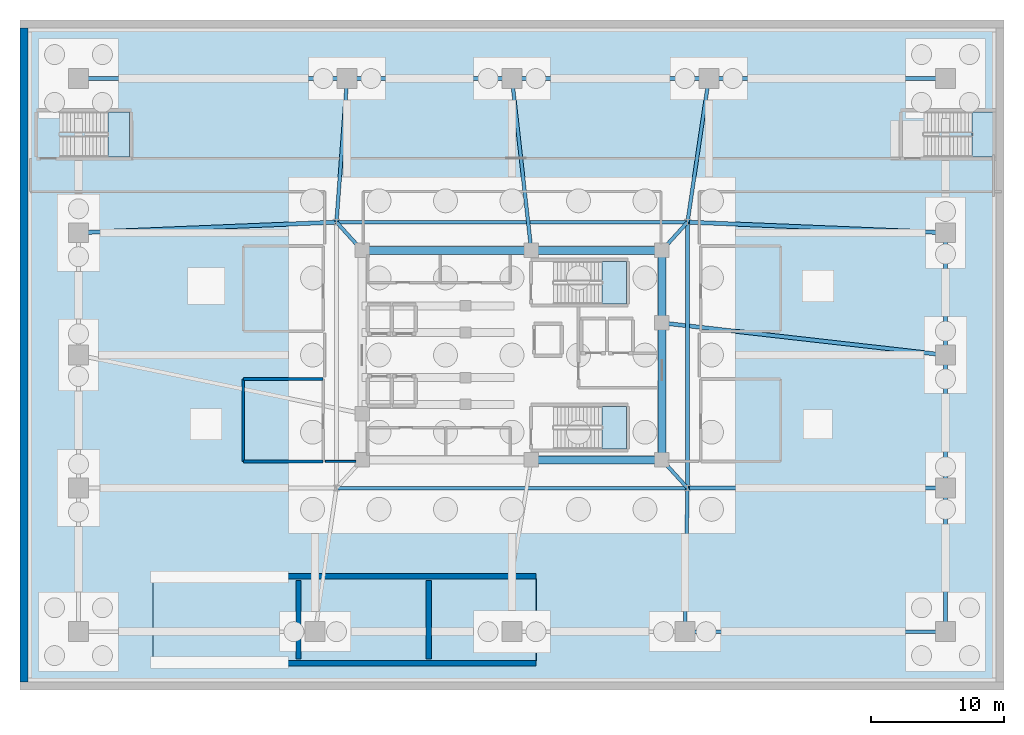
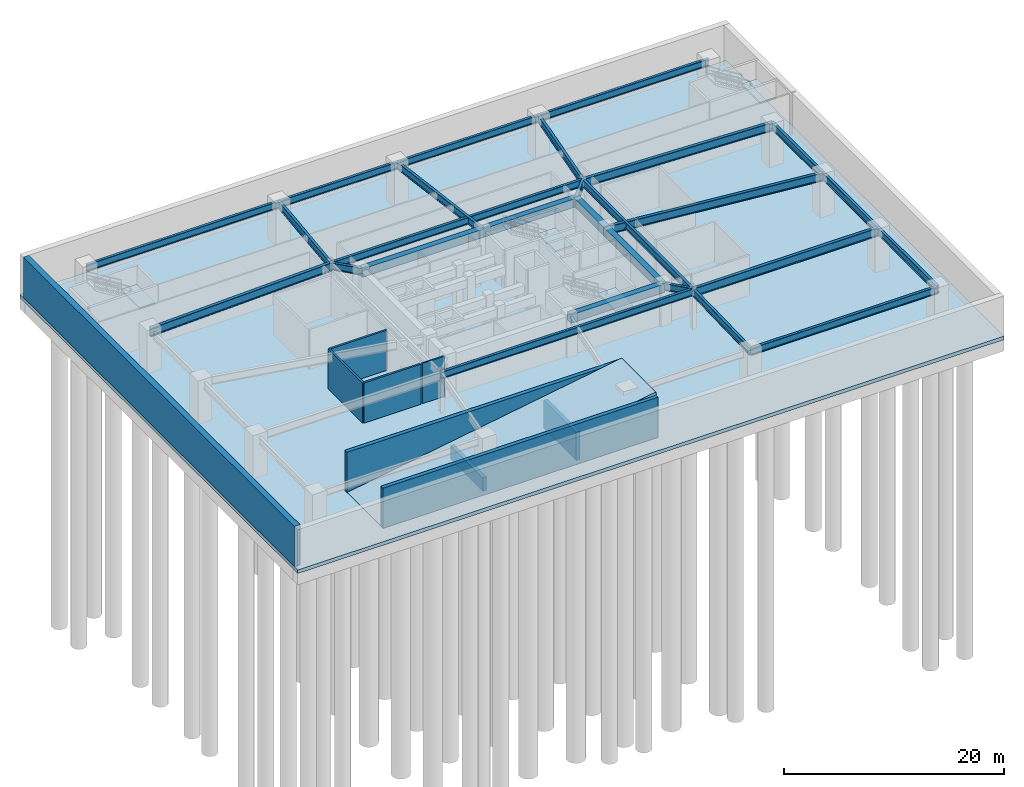
# One storey, part 3 of 8: 27 beams, 9 walls, 6 slabs, 4 elements without a shape of their own.
"""IFC4 building model written with IfcOpenShell, lengths in metres."""

from ifc_helpers import new_model, si_unit, direction, frame, frame_2d, origin, origin_2d, place, context, subcontext, project, spatial, polyline, rectangle, i_section, outline, extrude, material, layer, layer_set, material_profile, profile_set, type_object, element, aggregate, save


model = new_model("IFC4")

# Units and contexts
model_context = context("Model", 3, precision=1e-05, world=origin(), true_north=direction((0.0, 1.0)))
body_context = subcontext(model_context, "Body", "Model", "MODEL_VIEW")
ifc_project = project(units=[si_unit("LENGTHUNIT", "METRE"), si_unit("AREAUNIT", "SQUARE_METRE"), si_unit("VOLUMEUNIT", "CUBIC_METRE"), si_unit("PLANEANGLEUNIT", "RADIAN"), si_unit("MASSUNIT", "GRAM", prefix="KILO")], contexts=[model_context])

# Site, building, storey
site_placement = place(None, origin())
site = spatial("IfcSite", under=ifc_project, at=site_placement, CompositionType="ELEMENT")
building_placement = place(site_placement, origin())
building = spatial("IfcBuilding", under=site, at=building_placement, Name="Zulverin Broadcast Headquarters", CompositionType="ELEMENT")
storey_placement = place(building_placement, frame((0.0, 0.0, -9.60009765625)))
storey = spatial("IfcBuildingStorey", under=building, at=storey_placement, Name="B2", CompositionType="ELEMENT", Elevation=-9.60009765625)

# Beams
ifc_material_1 = material(Name="Concrete C60/75", Category="concrete")
ifc_material_profile_1 = material_profile(ifc_material_1, rectangle(XDim=0.60009765625, YDim=0.89990234375, at=origin_2d()), Name="Concrete C60/75", Category="concrete")
ifc_profile_set_1 = profile_set([ifc_material_profile_1], Name="Concrete C60/75")
beam_type_1 = type_object("IfcBeamType", Name="BM-CB-600x900", PredefinedType="LINTEL", material=ifc_profile_set_1)
beam_1_placement = place(storey_placement, frame((38.449951171875, 17.324951171875, 4.0), z_axis=(1.0, 0.0, 0.0), x_axis=(0.0, 1.0, 0.0)))
element("IfcBeam", 1, at=beam_1_placement, inside=storey, type_object=beam_type_1, Name="B2 Core Coupling Girder K02-K03", PredefinedType="LINTEL", context=body_context, shape_type="SweptSolid", body=[
    extrude(rectangle(XDim=0.60009765625, YDim=0.89990234375, at=origin_2d()), origin(), (0.0, 0.0, 1.0), 9.824951171875),
])
beam_2_placement = place(storey_placement, frame((48.27490234375, 17.324951171875, 4.0), z_axis=(0.0, 1.0, 0.0), x_axis=(-1.0, 0.0, 0.0)))
element("IfcBeam", 2, at=beam_2_placement, inside=storey, type_object=beam_type_1, Name="B2 Core Coupling Girder K03-K04", PredefinedType="LINTEL", context=body_context, shape_type="SweptSolid", body=[
    extrude(rectangle(XDim=0.60009765625, YDim=0.89990234375, at=origin_2d()), origin(), (0.0, 0.0, 1.0), 10.295166015625),
])
beam_3_placement = place(storey_placement, frame((48.27490234375, 27.6201171875, 4.0), z_axis=(0.0, 1.0, 0.0), x_axis=(-1.0, 0.0, 0.0)))
element("IfcBeam", 3, at=beam_3_placement, inside=storey, type_object=beam_type_1, Name="B2 Core Coupling Girder K04-K05", PredefinedType="LINTEL", context=body_context, shape_type="SweptSolid", body=[
    extrude(rectangle(XDim=0.60009765625, YDim=0.89990234375, at=origin_2d()), origin(), (0.0, 0.0, 1.0), 5.454833984375),
])
beam_4_placement = place(storey_placement, frame((48.27490234375, 33.074951171875, 4.0), z_axis=(-1.0, 0.0, 0.0), x_axis=(0.0, -1.0, 0.0)))
element("IfcBeam", 4, at=beam_4_placement, inside=storey, type_object=beam_type_1, Name="B2 Core Coupling Girder K05-K06", PredefinedType="LINTEL", context=body_context, shape_type="SweptSolid", body=[
    extrude(rectangle(XDim=0.60009765625, YDim=0.89990234375, at=origin_2d()), origin(), (0.0, 0.0, 1.0), 9.824951171875),
])
beam_5_placement = place(storey_placement, frame((38.449951171875, 33.074951171875, 4.0), z_axis=(-1.0, 0.0, 0.0), x_axis=(0.0, -1.0, 0.0)))
element("IfcBeam", 5, at=beam_5_placement, inside=storey, type_object=beam_type_1, Name="B2 Core Coupling Girder K06-K07", PredefinedType="LINTEL", context=body_context, shape_type="SweptSolid", body=[
    extrude(rectangle(XDim=0.60009765625, YDim=0.89990234375, at=origin_2d()), origin(), (0.0, 0.0, 1.0), 12.724853515625),
])
ifc_material_2 = material(Name="Structural steel S460M", Category="steel")
ifc_material_profile_2 = material_profile(ifc_material_2, i_section(OverallWidth=0.300048828125, OverallDepth=0.89990234375, WebThickness=0.0185546875, FlangeThickness=0.034912109375, at=origin_2d()), Name="Structural steel S460M", Category="steel")
ifc_profile_set_2 = profile_set([ifc_material_profile_2], Name="Structural steel S460M")
beam_type_2 = type_object("IfcBeamType", Name="BM-HEB-900", PredefinedType="BEAM", material=ifc_profile_set_2)
beam_6_placement = place(storey_placement, frame((69.60009765625, 25.199951171875, 4.0), z_axis=(-0.993621718585, 0.112764712373, 0.0), x_axis=(-0.112764712373, -0.993621718585, 0.0)))
element("IfcBeam", 6, at=beam_6_placement, inside=storey, type_object=beam_type_2, Name="B2 Long-Span Studio Girder P15-K04", PredefinedType="BEAM", context=body_context, shape_type="SweptSolid", body=[
    extrude(i_section(OverallWidth=0.300048828125, OverallDepth=0.89990234375, WebThickness=0.0185546875, FlangeThickness=0.034912109375, at=origin_2d()), origin(), (0.0, 0.0, 1.0), 21.462158203125),
])
ifc_material_3 = material(Name="Structural steel S355JR", Category="steel")
ifc_material_profile_3 = material_profile(ifc_material_3, i_section(OverallWidth=0.26806640625, OverallDepth=0.769775390625, WebThickness=0.015625, FlangeThickness=0.025390625, at=origin_2d()), Name="Structural steel S355JR", Category="steel")
ifc_profile_set_3 = profile_set([ifc_material_profile_3], Name="Structural steel S355JR")
beam_type_3 = type_object("IfcBeamType", Name="BM-UB-762", PredefinedType="BEAM", material=ifc_profile_set_3)
beam_7_placement = place(storey_placement, frame((50.0, 4.39990234375, 4.065185546875), z_axis=(1.0, 0.0, 0.0), x_axis=(0.0, 1.0, 0.0)))
element("IfcBeam", 7, at=beam_7_placement, inside=storey, type_object=beam_type_3, Name="B2 Podium Primary Girder P04-P05", PredefinedType="BEAM", context=body_context, shape_type="SweptSolid", body=[
    extrude(i_section(OverallWidth=0.26806640625, OverallDepth=0.769775390625, WebThickness=0.015625, FlangeThickness=0.025390625, at=origin_2d()), origin(), (0.0, 0.0, 1.0), 19.60009765625),
])
beam_8_placement = place(storey_placement, frame((69.60009765625, 4.39990234375, 4.065185546875), z_axis=(0.0, 1.0, 0.0), x_axis=(-1.0, 0.0, 0.0)))
element("IfcBeam", 8, at=beam_8_placement, inside=storey, type_object=beam_type_3, Name="B2 Podium Primary Girder P05-P14", PredefinedType="BEAM", context=body_context, shape_type="SweptSolid", body=[
    extrude(i_section(OverallWidth=0.26806640625, OverallDepth=0.769775390625, WebThickness=0.015625, FlangeThickness=0.025390625, at=origin_2d()), origin(), (0.0, 0.0, 1.0), 10.800048828125),
])
beam_9_placement = place(storey_placement, frame((69.60009765625, 15.199951171875, 4.065185546875), z_axis=(0.0, 1.0, 0.0), x_axis=(-1.0, 0.0, 0.0)))
element("IfcBeam", 9, at=beam_9_placement, inside=storey, type_object=beam_type_3, Name="B2 Podium Primary Girder P14-P15", PredefinedType="BEAM", context=body_context, shape_type="SweptSolid", body=[
    extrude(i_section(OverallWidth=0.26806640625, OverallDepth=0.769775390625, WebThickness=0.015625, FlangeThickness=0.025390625, at=origin_2d()), origin(), (0.0, 0.0, 1.0), 10.0),
])
beam_10_placement = place(storey_placement, frame((69.60009765625, 25.199951171875, 4.065185546875), z_axis=(0.0, 1.0, 0.0), x_axis=(-1.0, 0.0, 0.0)))
element("IfcBeam", 10, at=beam_10_placement, inside=storey, type_object=beam_type_3, Name="B2 Podium Primary Girder P15-P16", PredefinedType="BEAM", context=body_context, shape_type="SweptSolid", body=[
    extrude(i_section(OverallWidth=0.26806640625, OverallDepth=0.769775390625, WebThickness=0.015625, FlangeThickness=0.025390625, at=origin_2d()), origin(), (0.0, 0.0, 1.0), 9.199951171875),
])
beam_11_placement = place(storey_placement, frame((69.60009765625, 46.0, 4.065185546875), z_axis=(-1.0, 0.0, 0.0), x_axis=(0.0, -1.0, 0.0)))
element("IfcBeam", 11, at=beam_11_placement, inside=storey, type_object=beam_type_3, Name="B2 Podium Primary Girder P10-P09", PredefinedType="BEAM", context=body_context, shape_type="SweptSolid", body=[
    extrude(i_section(OverallWidth=0.26806640625, OverallDepth=0.769775390625, WebThickness=0.015625, FlangeThickness=0.025390625, at=origin_2d()), origin(), (0.0, 0.0, 1.0), 17.800048828125),
])
beam_12_placement = place(storey_placement, frame((51.800048828125, 46.0, 4.065185546875), z_axis=(-1.0, 0.0, 0.0), x_axis=(0.0, -1.0, 0.0)))
element("IfcBeam", 12, at=beam_12_placement, inside=storey, type_object=beam_type_3, Name="B2 Podium Primary Girder P09-P08", PredefinedType="BEAM", context=body_context, shape_type="SweptSolid", body=[
    extrude(i_section(OverallWidth=0.26806640625, OverallDepth=0.769775390625, WebThickness=0.015625, FlangeThickness=0.025390625, at=origin_2d()), origin(), (0.0, 0.0, 1.0), 14.800048828125),
])
beam_13_placement = place(storey_placement, frame((37.0, 46.0, 4.065185546875), z_axis=(-1.0, 0.0, 0.0), x_axis=(0.0, -1.0, 0.0)))
element("IfcBeam", 13, at=beam_13_placement, inside=storey, type_object=beam_type_3, Name="B2 Podium Primary Girder P08-P07", PredefinedType="BEAM", context=body_context, shape_type="SweptSolid", body=[
    extrude(i_section(OverallWidth=0.26806640625, OverallDepth=0.769775390625, WebThickness=0.015625, FlangeThickness=0.025390625, at=origin_2d()), origin(), (0.0, 0.0, 1.0), 12.39990234375),
])
beam_14_placement = place(storey_placement, frame((24.60009765625, 46.0, 4.065185546875), z_axis=(-1.0, 0.0, 0.0), x_axis=(0.0, -1.0, 0.0)))
element("IfcBeam", 14, at=beam_14_placement, inside=storey, type_object=beam_type_3, Name="B2 Podium Primary Girder P07-P06", PredefinedType="BEAM", context=body_context, shape_type="SweptSolid", body=[
    extrude(i_section(OverallWidth=0.26806640625, OverallDepth=0.769775390625, WebThickness=0.015625, FlangeThickness=0.025390625, at=origin_2d()), origin(), (0.0, 0.0, 1.0), 20.2001953125),
])
for number, where, z_axis, x_axis, name in (
    (15, (50.199951171875, 15.199951171875, 4.065185546875), (-0.671379160881, 0.741114041383, 0.0), (-0.741114041383, -0.671379160881, 0.0), "B2 Podium Primary Girder M02-K03"),
    (16, (50.199951171875, 35.199951171875, 4.065185546875), (-0.671379160881, -0.741114041383, 0.0), (0.741114041383, -0.671379160881, 0.0), "B2 Podium Primary Girder M03-K05"),
    (17, (23.800048828125, 35.199951171875, 4.065185546875), (0.671379160881, -0.741114041383, 0.0), (0.741114041383, 0.671379160881, 0.0), "B2 Podium Primary Girder M04-K07"),
):
    element("IfcBeam", number, at=place(storey_placement, frame(where, z_axis=z_axis, x_axis=x_axis)), inside=storey, type_object=beam_type_3, Name=name, PredefinedType="BEAM", context=body_context, shape_type="SweptSolid", body=[
        extrude(i_section(OverallWidth=0.26806640625, OverallDepth=0.769775390625, WebThickness=0.015625, FlangeThickness=0.025390625, at=origin_2d()), origin(), (0.0, 0.0, 1.0), 2.8671875),
    ])
beam_15_placement = place(storey_placement, frame((23.800048828125, 15.199951171875, 4.065185546875), z_axis=(1.0, 0.0, 0.0), x_axis=(0.0, 1.0, 0.0)))
element("IfcBeam", 18, at=beam_15_placement, inside=storey, type_object=beam_type_3, Name="B2 Podium Primary Girder M01-M02", PredefinedType="BEAM", context=body_context, shape_type="SweptSolid", body=[
    extrude(i_section(OverallWidth=0.26806640625, OverallDepth=0.769775390625, WebThickness=0.015625, FlangeThickness=0.025390625, at=origin_2d()), origin(), (0.0, 0.0, 1.0), 26.39990234375),
])
beam_16_placement = place(storey_placement, frame((50.199951171875, 15.199951171875, 4.065185546875), z_axis=(0.0, 1.0, 0.0), x_axis=(-1.0, 0.0, 0.0)))
element("IfcBeam", 19, at=beam_16_placement, inside=storey, type_object=beam_type_3, Name="B2 Podium Primary Girder M02-M03", PredefinedType="BEAM", context=body_context, shape_type="SweptSolid", body=[
    extrude(i_section(OverallWidth=0.26806640625, OverallDepth=0.769775390625, WebThickness=0.015625, FlangeThickness=0.025390625, at=origin_2d()), origin(), (0.0, 0.0, 1.0), 20.0),
])
beam_17_placement = place(storey_placement, frame((50.199951171875, 35.199951171875, 4.065185546875), z_axis=(-1.0, 0.0, 0.0), x_axis=(0.0, -1.0, 0.0)))
element("IfcBeam", 20, at=beam_17_placement, inside=storey, type_object=beam_type_3, Name="B2 Podium Primary Girder M03-M04", PredefinedType="BEAM", context=body_context, shape_type="SweptSolid", body=[
    extrude(i_section(OverallWidth=0.26806640625, OverallDepth=0.769775390625, WebThickness=0.015625, FlangeThickness=0.025390625, at=origin_2d()), origin(), (0.0, 0.0, 1.0), 26.39990234375),
])
beam_18_placement = place(storey_placement, frame((37.0, 46.0, 4.065185546875), z_axis=(0.111482194079, -0.993766431514, 0.0), x_axis=(0.993766431514, 0.111482194079, 0.0)))
element("IfcBeam", 21, at=beam_18_placement, inside=storey, type_object=beam_type_3, Name="B2 Podium Primary Girder P08-K06", PredefinedType="BEAM", context=body_context, shape_type="SweptSolid", body=[
    extrude(i_section(OverallWidth=0.26806640625, OverallDepth=0.769775390625, WebThickness=0.015625, FlangeThickness=0.025390625, at=origin_2d()), origin(), (0.0, 0.0, 1.0), 13.006103515625),
])
beam_19_placement = place(storey_placement, frame((50.0, 4.39990234375, 4.065185546875), z_axis=(0.018510741547, 0.999828661545, 0.0), x_axis=(-0.999828661545, 0.018510741547, 0.0)))
element("IfcBeam", 22, at=beam_19_placement, inside=storey, type_object=beam_type_3, Name="B2 Podium Primary Girder P04-M02", PredefinedType="BEAM", context=body_context, shape_type="SweptSolid", body=[
    extrude(i_section(OverallWidth=0.26806640625, OverallDepth=0.769775390625, WebThickness=0.015625, FlangeThickness=0.025390625, at=origin_2d()), origin(), (0.0, 0.0, 1.0), 10.802001953125),
])
beam_20_placement = place(storey_placement, frame((24.60009765625, 46.0, 4.065185546875), z_axis=(-0.0738758375, -0.997267446894, 0.0), x_axis=(0.997267446894, -0.0738758375, 0.0)))
element("IfcBeam", 23, at=beam_20_placement, inside=storey, type_object=beam_type_3, Name="B2 Podium Primary Girder P07-M04", PredefinedType="BEAM", context=body_context, shape_type="SweptSolid", body=[
    extrude(i_section(OverallWidth=0.26806640625, OverallDepth=0.769775390625, WebThickness=0.015625, FlangeThickness=0.025390625, at=origin_2d()), origin(), (0.0, 0.0, 1.0), 10.82958984375),
])
beam_21_placement = place(storey_placement, frame((51.800048828125, 46.0, 4.065185546875), z_axis=(-0.146556765224, -0.989202261707, 0.0), x_axis=(0.989202261707, -0.146556765224, 0.0)))
element("IfcBeam", 24, at=beam_21_placement, inside=storey, type_object=beam_type_3, Name="B2 Podium Primary Girder P09-M03", PredefinedType="BEAM", context=body_context, shape_type="SweptSolid", body=[
    extrude(i_section(OverallWidth=0.26806640625, OverallDepth=0.769775390625, WebThickness=0.015625, FlangeThickness=0.025390625, at=origin_2d()), origin(), (0.0, 0.0, 1.0), 10.91796875),
])
ifc_material_profile_4 = material_profile(ifc_material_2, i_section(OverallWidth=0.3076171875, OverallDepth=0.926513671875, WebThickness=0.01953125, FlangeThickness=0.031982421875, at=origin_2d()), Name="Structural steel S460M", Category="steel")
ifc_profile_set_4 = profile_set([ifc_material_profile_4], Name="Structural steel S460M")
beam_type_4 = type_object("IfcBeamType", Name="BM-UB-914", PredefinedType="BEAM", material=ifc_profile_set_4)
beam_22_placement = place(storey_placement, frame((4.39990234375, 34.39990234375, 3.98681640625), z_axis=(0.999150742371, 0.041204296122, 0.0), x_axis=(-0.041204296122, 0.999150742371, 0.0)))
element("IfcBeam", 25, at=beam_22_placement, inside=storey, type_object=beam_type_4, Name="B2 Long-Span Studio Girder P13-M04", PredefinedType="BEAM", context=body_context, shape_type="SweptSolid", body=[
    extrude(i_section(OverallWidth=0.3076171875, OverallDepth=0.926513671875, WebThickness=0.01953125, FlangeThickness=0.031982421875, at=origin_2d()), origin(), (0.0, 0.0, 1.0), 19.416748046875),
])
beam_23_placement = place(storey_placement, frame((69.60009765625, 15.199951171875, 3.98681640625), z_axis=(-1.0, 0.0, 0.0), x_axis=(0.0, -1.0, 0.0)))
element("IfcBeam", 26, at=beam_23_placement, inside=storey, type_object=beam_type_4, Name="B2 Long-Span Studio Girder P14-M02", PredefinedType="BEAM", context=body_context, shape_type="SweptSolid", body=[
    extrude(i_section(OverallWidth=0.3076171875, OverallDepth=0.926513671875, WebThickness=0.01953125, FlangeThickness=0.031982421875, at=origin_2d()), origin(), (0.0, 0.0, 1.0), 19.400146484375),
])
beam_24_placement = place(storey_placement, frame((69.60009765625, 34.39990234375, 3.98681640625), z_axis=(-0.999150742371, 0.041204296122, 0.0), x_axis=(-0.041204296122, -0.999150742371, 0.0)))
element("IfcBeam", 27, at=beam_24_placement, inside=storey, type_object=beam_type_4, Name="B2 Long-Span Studio Girder P16-M03", PredefinedType="BEAM", context=body_context, shape_type="SweptSolid", body=[
    extrude(i_section(OverallWidth=0.3076171875, OverallDepth=0.926513671875, WebThickness=0.01953125, FlangeThickness=0.031982421875, at=origin_2d()), origin(), (0.0, 0.0, 1.0), 19.416748046875),
])

# Slab
ifc_material_4 = material(Name="Concrete C40/50", Category="concrete")
ifc_layer_1 = layer(ifc_material_4, 0.39990234375, Name="Concrete C40/50", Category="concrete")
ifc_layer_set_1 = layer_set([ifc_layer_1], Name="Concrete C40/50")
slab_type_1 = type_object("IfcSlabType", Name="SLB-BASE-400", PredefinedType="BASESLAB", material=ifc_layer_set_1)
slab_1_placement = place(storey_placement, frame((0.0, 0.0, -0.39990234375)))
element("IfcSlab", 28, at=slab_1_placement, inside=storey, type_object=slab_type_1, Name="B2 Main Structural Floor Slab", PredefinedType="BASESLAB", context=body_context, shape_type="SweptSolid", body=[
    extrude(outline(polyline([(0.0, 0.0), (74.0, 0.0), (74.0, 50.39990234375), (0.0, 50.39990234375), (0.0, 0.0)]), holes=[polyline([(10.00048828125, 2.199951171875), (11.820068359375, 2.199951171875), (11.820068359375, 8.39990234375), (10.00048828125, 8.39990234375), (10.00048828125, 2.199951171875)])]), origin(), (0.0, 0.0, 1.0), 0.39990234375),
])

# Stair, slab
stair_type_1 = type_object("IfcStairType", Name="ST-CORE-1500", PredefinedType="HALF_TURN_STAIR", material=ifc_material_4)
stair_1_placement = place(storey_placement, origin())
stair_1 = element("IfcStair", 29, at=stair_1_placement, inside=storey, type_object=stair_type_1, Name="B2 Core Exit Stair ST-1", PredefinedType="HALF_TURN_STAIR")
ifc_layer_2 = layer(ifc_material_4, 0.199951171875, Name="Concrete C40/50", Category="concrete")
ifc_layer_set_2 = layer_set([ifc_layer_2], Name="Concrete C40/50")
slab_type_2 = type_object("IfcSlabType", Name="SLB-ST-LND200", PredefinedType="LANDING", material=ifc_layer_set_2)
slab_2_placement = place(storey_placement, frame((0.0, 0.0, 2.2001953125)))
slab_2 = element("IfcSlab", 30, at=slab_2_placement, type_object=slab_type_2, Name="ST-1 landing 1", PredefinedType="LANDING", context=body_context, shape_type="SweptSolid", body=[
    extrude(outline(polyline([(43.77001953125, 29.050048828125), (45.60009765625, 29.050048828125), (45.60009765625, 32.25), (43.77001953125, 32.25), (43.77001953125, 29.050048828125)])), origin(), (0.0, 0.0, 1.0), 0.199951171875),
])
aggregate(stair_1, [slab_2])

stair_2_placement = place(storey_placement, origin())
stair_2 = element("IfcStair", 31, at=stair_2_placement, inside=storey, type_object=stair_type_1, Name="B2 Core Exit Stair ST-2", PredefinedType="HALF_TURN_STAIR")
slab_3_placement = place(storey_placement, frame((0.0, 0.0, 2.2001953125)))
slab_3 = element("IfcSlab", 32, at=slab_3_placement, type_object=slab_type_2, Name="ST-2 landing 1", PredefinedType="LANDING", context=body_context, shape_type="SweptSolid", body=[
    extrude(outline(polyline([(43.77001953125, 18.14990234375), (45.60009765625, 18.14990234375), (45.60009765625, 21.35009765625), (43.77001953125, 21.35009765625), (43.77001953125, 18.14990234375)])), origin(), (0.0, 0.0, 1.0), 0.199951171875),
])
aggregate(stair_2, [slab_3])

stair_type_2 = type_object("IfcStairType", Name="ST-POD-1600", PredefinedType="HALF_TURN_STAIR", material=ifc_material_4)
stair_3_placement = place(storey_placement, origin())
stair_3 = element("IfcStair", 33, at=stair_3_placement, inside=storey, type_object=stair_type_2, Name="B2 Podium Exit Stair ST-3", PredefinedType="HALF_TURN_STAIR")
slab_4_placement = place(storey_placement, frame((0.0, 0.0, 2.2001953125)))
slab_4 = element("IfcSlab", 34, at=slab_4_placement, type_object=slab_type_2, Name="ST-3 landing 1", PredefinedType="LANDING", context=body_context, shape_type="SweptSolid", body=[
    extrude(outline(polyline([(6.610107421875, 40.10009765625), (8.25, 40.10009765625), (8.25, 43.5), (6.610107421875, 43.5), (6.610107421875, 40.10009765625)])), origin(), (0.0, 0.0, 1.0), 0.199951171875),
])
aggregate(stair_3, [slab_4])

stair_4_placement = place(storey_placement, origin())
stair_4 = element("IfcStair", 35, at=stair_4_placement, inside=storey, type_object=stair_type_2, Name="B2 Podium Exit Stair ST-4", PredefinedType="HALF_TURN_STAIR")
slab_5_placement = place(storey_placement, frame((0.0, 0.0, 2.2001953125)))
slab_5 = element("IfcSlab", 36, at=slab_5_placement, type_object=slab_type_2, Name="ST-4 landing 1", PredefinedType="LANDING", context=body_context, shape_type="SweptSolid", body=[
    extrude(outline(polyline([(71.610107421875, 40.10009765625), (73.25, 40.10009765625), (73.25, 43.5), (71.610107421875, 43.5), (71.610107421875, 40.10009765625)])), origin(), (0.0, 0.0, 1.0), 0.199951171875),
])
aggregate(stair_4, [slab_5])

# Slab
ifc_layer_3 = layer(ifc_material_4, 0.300048828125, Name="Concrete C40/50", Category="concrete")
ifc_layer_set_3 = layer_set([ifc_layer_3], Name="Concrete C40/50")
slab_type_3 = type_object("IfcSlabType", Name="SLB-VRAMP-300", PredefinedType="FLOOR", material=ifc_layer_set_3)
slab_6_placement = place(storey_placement, frame((9.999755859375, 2.199951171875, 0.0), z_axis=(-0.164397631368, 0.0, 0.986394149821), x_axis=(0.986394149821, 0.0, 0.164397631368)))
element("IfcSlab", 37, at=slab_6_placement, inside=storey, type_object=slab_type_3, Name="Car Park Structural Vehicle Ramp Slab R1 (B2 to B1)", PredefinedType="FLOOR", context=body_context, shape_type="SweptSolid", body=[
    extrude(outline(polyline([(0.0, 0.0), (29.197797974177277, 0.0), (29.197797974177277, 6.199951171875), (0.0, 6.199951171875), (0.0, 0.0)])), origin(), (0.0, 0.0, -1.0), 0.300048828125),
])

# Walls
ifc_layer_4 = layer(ifc_material_4, 0.199951171875, Name="Concrete C40/50", Category="concrete")
ifc_layer_set_4 = layer_set([ifc_layer_4], Name="Concrete C40/50")
wall_type_1 = type_object("IfcWallType", Name="WL-FFL-200", PredefinedType="SOLIDWALL", material=ifc_layer_set_4)
for number, where, z_axis, x_axis, name in (
    (38, (16.800048828125, 17.199951171875, 0.0), (0.0, 0.0, 1.0), (1.0, 0.0, 0.0), "B2 Chiller & District Cooling Plant Room S Wall"),
    (39, (16.800048828125, 23.39990234375, 0.0), (0.0, 0.0, 1.0), (1.0, 0.0, 0.0), "B2 Chiller & District Cooling Plant Room N Wall"),
):
    element("IfcWall", number, at=place(storey_placement, frame(where, z_axis=z_axis, x_axis=x_axis)), inside=storey, type_object=wall_type_1, Name=name, PredefinedType="SOLIDWALL", context=body_context, shape_type="SweptSolid", body=[
        extrude(rectangle(XDim=6.0, YDim=0.199951171875, at=frame_2d((3.0, 0.0))), origin(), (0.0, 0.0, 1.0), 4.4501953125),
    ])
wall_1_placement = place(storey_placement, frame((16.800048828125, 17.199951171875, 0.0), z_axis=(0.0, 0.0, 1.0), x_axis=(0.0, 1.0, 0.0)))
element("IfcWall", 40, at=wall_1_placement, inside=storey, type_object=wall_type_1, Name="B2 Chiller & District Cooling Plant Room W Wall", PredefinedType="SOLIDWALL", context=body_context, shape_type="SweptSolid", body=[
    extrude(rectangle(XDim=6.199951171875, YDim=0.199951171875, at=frame_2d((3.10009765625, 0.0))), origin(), (0.0, 0.0, 1.0), 4.4501953125),
])
ifc_material_5 = material(Name="Fire-rated gypsum stud partition", Category="gypsum")
ifc_layer_5 = layer(ifc_material_5, 0.14990234375, Name="Fire-rated gypsum stud partition", Category="gypsum")
ifc_layer_set_5 = layer_set([ifc_layer_5], Name="Fire-rated gypsum stud partition")
wall_type_2 = type_object("IfcWallType", Name="WL-PART-150", PredefinedType="PARTITIONING", material=ifc_layer_set_5)
wall_2_placement = place(storey_placement, frame((22.9599609375, 17.199951171875, 0.0), z_axis=(0.0, 0.0, 1.0), x_axis=(1.0, 0.0, 0.0)))
element("IfcWall", 41, at=wall_2_placement, inside=storey, type_object=wall_type_2, Name="B2 Gallery Partition Wall CG-09", PredefinedType="PARTITIONING", context=body_context, shape_type="SweptSolid", body=[
    extrude(rectangle(XDim=2.300048828125, YDim=0.14990234375, at=frame_2d((1.14990234375, 0.0))), origin(), (0.0, 0.0, 1.0), 4.4501953125),
])
ifc_material_6 = material(Name="Concrete C50/60", Category="concrete")
ifc_layer_6 = layer(ifc_material_6, 0.39990234375, Name="Concrete C50/60", Category="concrete")
ifc_layer_set_6 = layer_set([ifc_layer_6], Name="Concrete C50/60")
wall_type_3 = type_object("IfcWallType", Name="WL-PIT-400", PredefinedType="SOLIDWALL", material=ifc_layer_set_6)
wall_3_placement = place(storey_placement, frame((20.944091796875, 2.35009765625, 0.0), z_axis=(0.0, 0.0, 1.0), x_axis=(0.0, 1.0, 0.0)))
element("IfcWall", 42, at=wall_3_placement, inside=storey, type_object=wall_type_3, Name="Car Park Structural Vehicle Ramp Slab R1 (B2 to B1) Pier Wall 1", PredefinedType="SOLIDWALL", context=body_context, shape_type="SweptSolid", body=[
    extrude(rectangle(XDim=5.89990234375, YDim=0.39990234375, at=frame_2d((2.949951171875, 0.0))), origin(), (0.0, 0.0, 1.0), 1.504150390625),
])
wall_4_placement = place(storey_placement, frame((30.736083984375, 2.35009765625, 0.0), z_axis=(0.0, 0.0, 1.0), x_axis=(0.0, 1.0, 0.0)))
element("IfcWall", 43, at=wall_4_placement, inside=storey, type_object=wall_type_3, Name="Car Park Structural Vehicle Ramp Slab R1 (B2 to B1) Pier Wall 2", PredefinedType="SOLIDWALL", context=body_context, shape_type="SweptSolid", body=[
    extrude(rectangle(XDim=5.89990234375, YDim=0.39990234375, at=frame_2d((2.949951171875, 0.0))), origin(), (0.0, 0.0, 1.0), 3.135986328125),
])
for number, where, z_axis, x_axis, name in (
    (44, (10.0, 2.02001953125, 0.0), (0.0, 0.0, 1.0), (1.0, 0.0, 0.0), "Car Park Structural Vehicle Ramp Slab R1 (B2 to B1) Side Cheek Wall S"),
    (45, (10.0, 8.580078125, 0.0), (0.0, 0.0, 1.0), (1.0, 0.0, 0.0), "Car Park Structural Vehicle Ramp Slab R1 (B2 to B1) Side Cheek Wall N"),
):
    element("IfcWall", number, at=place(storey_placement, frame(where, z_axis=z_axis, x_axis=x_axis)), inside=storey, type_object=wall_type_3, Name=name, PredefinedType="SOLIDWALL", context=body_context, shape_type="SweptSolid", body=[
        extrude(rectangle(XDim=28.800048828125, YDim=0.39990234375, at=frame_2d((14.39990234375, 0.0))), origin(), (0.0, 0.0, 1.0), 4.4501953125),
    ])
ifc_layer_7 = layer(ifc_material_4, 0.60009765625, Name="Concrete C40/50", Category="concrete")
ifc_layer_set_7 = layer_set([ifc_layer_7], Name="Concrete C40/50")
wall_type_4 = type_object("IfcWallType", Name="WL-RET-600", PredefinedType="SOLIDWALL", material=ifc_layer_set_7)
wall_5_placement = place(storey_placement, frame((0.300048828125, 0.60009765625, 0.0), z_axis=(0.0, 0.0, 1.0), x_axis=(0.0, 1.0, 0.0)))
element("IfcWall", 46, at=wall_5_placement, inside=storey, type_object=wall_type_4, Name="B2 Basement Retaining Wall W", PredefinedType="SOLIDWALL", context=body_context, shape_type="SweptSolid", body=[
    extrude(rectangle(XDim=49.199951171875, YDim=0.60009765625, at=frame_2d((24.60009765625, 0.0))), origin(), (0.0, 0.0, 1.0), 4.4501953125),
])

save(model, "model.ifc")
